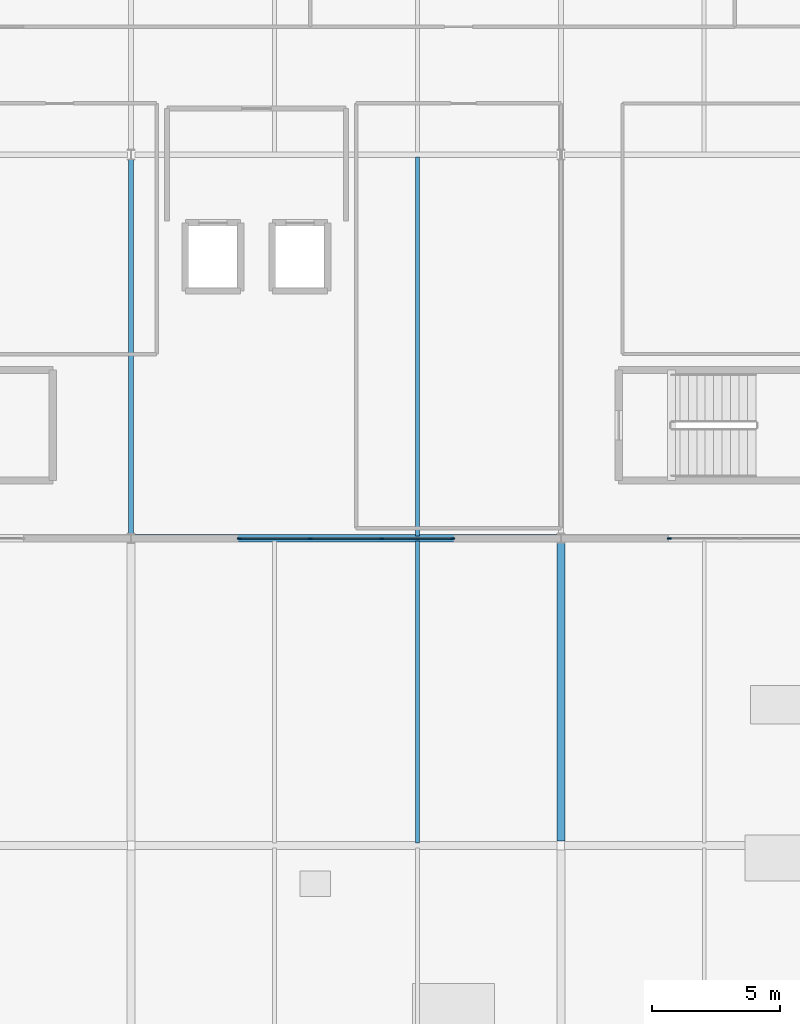
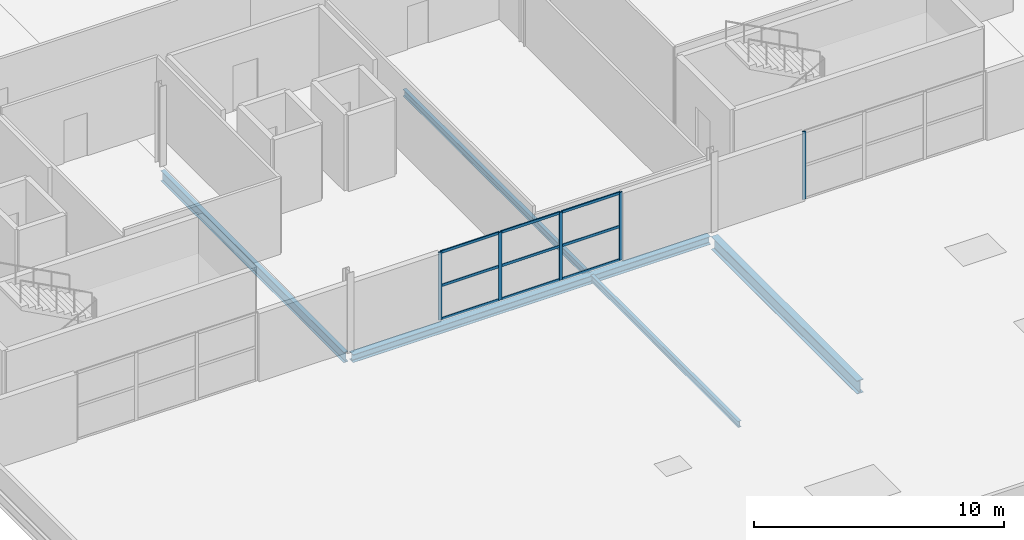
# One storey, part 10 of 36: 14 members, 5 beams, 2 elements without a shape of their own.
"""IFC4 building model written with IfcOpenShell, lengths in metres."""

import ifcopenshell
import ifcopenshell.guid

model = None  # the IFC model being written
_history = None  # IfcOwnerHistory: only IFC2X3 demands one
_inside = {}  # id of a spatial element -> (the spatial element, [elements in it])
_under = {}  # id of a project, library or spatial element -> (it, [spatial elements below it])
_declared = {}  # id of a project -> (the project, [libraries it declares])
_typed = {}  # id of a type object -> (the type object, [elements of that type])
_made_of = {}  # id of a material, layer set ... -> (it, [elements and type objects made of it])


def new_model(schema):
    """Start an empty IFC model of exactly this schema.

    Asked for "IFC4X3", IfcOpenShell would pick the latest addendum, in which some entities
    have other attributes; the version numbers below select the first issue.
    IFC2X3 requires an IfcOwnerHistory on every rooted entity: one is made here for all.
    """
    global model, _history
    if schema == "IFC4X3":
        model = ifcopenshell.file(schema_version=(4, 3, 0, 0))
    else:
        model = ifcopenshell.file(schema=schema)
    _inside.clear()
    _under.clear()
    _declared.clear()
    _typed.clear()
    _made_of.clear()
    _history = None
    if model.schema == "IFC2X3":
        org = make("IfcOrganization", Name="unknown")
        user = make(
            "IfcPersonAndOrganization",
            ThePerson=make("IfcPerson", FamilyName="unknown"),
            TheOrganization=org,
        )
        app = make(
            "IfcApplication",
            ApplicationDeveloper=org,
            Version="unknown",
            ApplicationFullName="unknown",
            ApplicationIdentifier="unknown",
        )
        _history = make(
            "IfcOwnerHistory",
            OwningUser=user,
            OwningApplication=app,
            ChangeAction="ADDED",
            CreationDate=0,
        )
    return model


def make(cls, **values):
    """One entity of the class cls with the attributes given. An attribute that is None is left unset."""
    return model.create_entity(
        cls, **{name: value for name, value in values.items() if value is not None}
    )


def rooted(cls, **values):
    """An entity with a GlobalId (a new one), such as an element, a storey or a relation."""
    return make(cls, GlobalId=ifcopenshell.guid.new(), OwnerHistory=_history, **values)


def si_unit(unit_type, name, prefix=None):
    """IfcSIUnit, for example si_unit("LENGTHUNIT", "METRE", prefix="MILLI")."""
    return make("IfcSIUnit", UnitType=unit_type, Prefix=prefix, Name=name)


def assignment(units):
    """IfcUnitAssignment: the units of a project."""
    return None if units is None else make("IfcUnitAssignment", Units=units)


def point(xyz):
    """IfcCartesianPoint."""
    return None if xyz is None else make("IfcCartesianPoint", Coordinates=xyz)


def direction(xyz):
    """IfcDirection."""
    return None if xyz is None else make("IfcDirection", DirectionRatios=xyz)


def frame(location, z_axis=None, x_axis=None):
    """IfcAxis2Placement3D, a coordinate frame: its origin and axes. An axis left out is left unset."""
    return make(
        "IfcAxis2Placement3D",
        Location=point(location),
        Axis=direction(z_axis),
        RefDirection=direction(x_axis),
    )


def frame_2d(location, x_axis=None):
    """IfcAxis2Placement2D, a coordinate frame in the plane: its origin and x axis."""
    return make(
        "IfcAxis2Placement2D", Location=point(location), RefDirection=direction(x_axis)
    )


def origin():
    """The frame at (0, 0, 0) with its axes left unset."""
    return frame((0.0, 0.0, 0.0))


def origin_2d():
    """The frame at (0, 0) in the plane with its x axis left unset."""
    return frame_2d((0.0, 0.0))


def place(relative_to, where):
    """IfcLocalPlacement: puts the frame where relative to a parent placement (None: the world)."""
    return make(
        "IfcLocalPlacement", PlacementRelTo=relative_to, RelativePlacement=where
    )


def context(
    kind, dimensions, precision=None, world=None, true_north=None, identifier=None
):
    """IfcGeometricRepresentationContext, for example the 3D "Model" context."""
    return make(
        "IfcGeometricRepresentationContext",
        ContextIdentifier=identifier,
        ContextType=kind,
        CoordinateSpaceDimension=dimensions,
        Precision=precision,
        WorldCoordinateSystem=world,
        TrueNorth=true_north,
    )


def subcontext(parent, identifier, kind, view, scale=None):
    """IfcGeometricRepresentationSubContext, for example "Body" below "Model"."""
    return make(
        "IfcGeometricRepresentationSubContext",
        ContextIdentifier=identifier,
        ContextType=kind,
        ParentContext=parent,
        TargetScale=scale,
        TargetView=view,
    )


def project(units=None, contexts=None):
    """IfcProject with its units and contexts."""
    return rooted(
        "IfcProject",
        Name="project",
        RepresentationContexts=contexts,
        UnitsInContext=assignment(units),
    )


def spatial(cls, under=None, at=None, **own):
    """A site, building, storey or space (cls), placed at a placement, below another one or the project."""
    s = rooted(cls, ObjectPlacement=at, **own)
    if under is not None:
        _under.setdefault(under.id(), (under, []))[1].append(s)
    return s


def profile(cls, at=None, kind="AREA", **sizes):
    """A parametric profile (cls). Its sizes go by their IFC names, for example OverallWidth=200.0."""
    return make(cls, ProfileType=kind, Position=at, **sizes)


def rectangle(**sizes):
    """IfcRectangleProfileDef."""
    return profile("IfcRectangleProfileDef", **sizes)


def i_section(**sizes):
    """IfcIShapeProfileDef."""
    return profile("IfcIShapeProfileDef", **sizes)


def extrude(swept, where, along, depth):
    """IfcExtrudedAreaSolid: the profile swept, set in the frame where, extruded along a direction by depth."""
    return make(
        "IfcExtrudedAreaSolid",
        SweptArea=swept,
        Position=where,
        ExtrudedDirection=direction(along),
        Depth=depth,
    )


def shape(context_of_items, identifier, shape_type, items):
    """IfcShapeRepresentation: the items that make up one representation, for example the "Body"."""
    return make(
        "IfcShapeRepresentation",
        ContextOfItems=context_of_items,
        RepresentationIdentifier=identifier,
        RepresentationType=shape_type,
        Items=items,
    )


def material(Name=None, Category=None):
    """IfcMaterial."""
    return make("IfcMaterial", Name=Name, Category=Category)


def material_profile(
    of_material, cross_section, Name=None, Category=None, Priority=None
):
    """IfcMaterialProfile: a cross section and its material."""
    return make(
        "IfcMaterialProfile",
        Name=Name,
        Material=of_material,
        Profile=cross_section,
        Priority=Priority,
        Category=Category,
    )


def profile_set(profiles, Name=None, composite=None):
    """IfcMaterialProfileSet."""
    return make(
        "IfcMaterialProfileSet",
        Name=Name,
        MaterialProfiles=profiles,
        CompositeProfile=composite,
    )


def made_of(thing, what):
    """Note that an element or type object is made of a material, layer set ...; save() writes the relation."""
    if what is not None:
        _made_of.setdefault(what.id(), (what, []))[1].append(thing)
    return thing


def type_object(cls, material=None, **own):
    """A type object (cls), such as IfcWallType, which elements share."""
    return made_of(rooted(cls, **own), material)


def element(
    cls,
    number,
    at=None,
    inside=None,
    cuts=None,
    type_object=None,
    material=None,
    context=None,
    identifier="Body",
    shape_type=None,
    held_by="IfcProductDefinitionShape",
    body=None,
    shapes=None,
    **own,
):
    """One element of the class cls, such as IfcWall. Its Tag is "e" and its number.

    at: its placement. inside: the storey or other place that contains it. cuts: it is an
    opening in that element (IfcRelVoidsElement). A single representation is given by context,
    identifier, shape_type and body (its items); several are given by shapes. held_by: the class
    of the entity that holds the representations. save() writes the other relations.
    """
    e = rooted(cls, Tag="e%d" % number, ObjectPlacement=at, **own)
    if body is not None:
        shapes = [shape(context, identifier, shape_type, body)]
    if shapes is not None:
        e.Representation = make(held_by, Representations=shapes)
    if inside is not None:
        _inside.setdefault(inside.id(), (inside, []))[1].append(e)
    if cuts is not None:
        rooted(
            "IfcRelVoidsElement", RelatingBuildingElement=cuts, RelatedOpeningElement=e
        )
    if type_object is not None:
        _typed.setdefault(type_object.id(), (type_object, []))[1].append(e)
    return made_of(e, material)


def aggregate(whole, parts):
    """IfcRelAggregates: a whole, such as a stair, and the parts it consists of."""
    return rooted("IfcRelAggregates", RelatingObject=whole, RelatedObjects=parts)


def save(model, path):
    """Write the relations noted so far, then the file.

    IfcRelAggregates (storeys below a building ...), IfcRelContainedInSpatialStructure (elements
    in a storey), IfcRelDefinesByType, IfcRelAssociatesMaterial and IfcRelDeclares: one each for
    every whole, place, type object, material and project.
    """
    for whole, parts in _under.values():
        aggregate(whole, parts)
    for where, things in _inside.values():
        rooted(
            "IfcRelContainedInSpatialStructure",
            RelatedElements=things,
            RelatingStructure=where,
        )
    for kind, things in _typed.values():
        rooted("IfcRelDefinesByType", RelatedObjects=things, RelatingType=kind)
    for what, things in _made_of.values():
        rooted("IfcRelAssociatesMaterial", RelatedObjects=things, RelatingMaterial=what)
    for by, libraries in _declared.values():
        rooted("IfcRelDeclares", RelatingContext=by, RelatedDefinitions=libraries)
    model.write(path)


model = new_model("IFC4")

# Units and contexts
model_context = context("Model", 3, precision=1e-05, world=origin(), true_north=direction((0.0, 1.0)))
body_context = subcontext(model_context, "Body", "Model", "MODEL_VIEW")
ifc_project = project(units=[si_unit("LENGTHUNIT", "METRE"), si_unit("AREAUNIT", "SQUARE_METRE"), si_unit("VOLUMEUNIT", "CUBIC_METRE"), si_unit("PLANEANGLEUNIT", "RADIAN"), si_unit("MASSUNIT", "GRAM", prefix="KILO")], contexts=[model_context])

# Site, building, storey
site_placement = place(None, origin())
site = spatial("IfcSite", under=ifc_project, at=site_placement, CompositionType="ELEMENT")
building_placement = place(site_placement, origin())
building = spatial("IfcBuilding", under=site, at=building_placement, Name="Kimbaza Rail Terminus", CompositionType="ELEMENT")
storey_placement = place(building_placement, frame((0.0, 0.0, 21.0)))
storey = spatial("IfcBuildingStorey", under=building, at=storey_placement, Name="L04", CompositionType="ELEMENT", Elevation=21.0)

# Curtain wall, members
ifc_material_1 = material(Name="Anodised aluminium framing and solar low-E glazing", Category="aluminium")
curtain_wall_type = type_object("IfcCurtainWallType", Name="ARC-CW-OP2", PredefinedType="USERDEFINED", material=ifc_material_1)
curtain_wall_1_placement = place(storey_placement, origin())
curtain_wall_1 = element("IfcCurtainWall", 1, at=curtain_wall_1_placement, inside=storey, type_object=curtain_wall_type, Name="Operations South Curtain Wall L04 Bay 3", ObjectType="STICK CURTAIN WALL", PredefinedType="USERDEFINED")
ifc_material_2 = material(Name="Anodised architectural aluminium", Category="aluminium")
ifc_material_profile_1 = material_profile(ifc_material_2, rectangle(XDim=0.05810546875, YDim=0.14990234375, at=origin_2d()), Name="MULLION 58x150")
ifc_profile_set_1 = profile_set([ifc_material_profile_1], Name="Anodised architectural aluminium")
member_type_1 = type_object("IfcMemberType", Name="ARC-CWM-06", PredefinedType="MULLION", material=ifc_profile_set_1)
member_1_placement = place(storey_placement, frame((93.029052734375, 103.0, 0.0), z_axis=(0.0, 0.0, 1.0), x_axis=(0.0, 1.0, 0.0)))
member_1 = element("IfcMember", 2, at=member_1_placement, type_object=member_type_1, Name="CW-06 mullion 1", PredefinedType="MULLION", context=body_context, shape_type="SweptSolid", body=[
    extrude(rectangle(XDim=0.05810546875, YDim=0.14990234375, at=origin_2d()), origin(), (0.0, 0.0, 1.0), 3.31494140625),
])
member_2_placement = place(storey_placement, frame((95.800048828125, 103.0, 0.0), z_axis=(0.0, 0.0, 1.0), x_axis=(0.0, 1.0, 0.0)))
member_2 = element("IfcMember", 3, at=member_2_placement, type_object=member_type_1, Name="CW-06 mullion 2", PredefinedType="MULLION", context=body_context, shape_type="SweptSolid", body=[
    extrude(rectangle(XDim=0.05810546875, YDim=0.14990234375, at=origin_2d()), origin(), (0.0, 0.0, 1.0), 3.31494140625),
])
member_3_placement = place(storey_placement, frame((98.60009765625, 103.0, 0.0), z_axis=(0.0, 0.0, 1.0), x_axis=(0.0, 1.0, 0.0)))
member_3 = element("IfcMember", 4, at=member_3_placement, type_object=member_type_1, Name="CW-06 mullion 3", PredefinedType="MULLION", context=body_context, shape_type="SweptSolid", body=[
    extrude(rectangle(XDim=0.05810546875, YDim=0.14990234375, at=origin_2d()), origin(), (0.0, 0.0, 1.0), 3.31494140625),
])
member_4_placement = place(storey_placement, frame((101.37109375, 103.0, 0.0), z_axis=(0.0, 0.0, 1.0), x_axis=(0.0, 1.0, 0.0)))
member_4 = element("IfcMember", 5, at=member_4_placement, type_object=member_type_1, Name="CW-06 mullion 4", PredefinedType="MULLION", context=body_context, shape_type="SweptSolid", body=[
    extrude(rectangle(XDim=0.05810546875, YDim=0.14990234375, at=origin_2d()), origin(), (0.0, 0.0, 1.0), 3.31494140625),
])

# Curtain wall, member
curtain_wall_2_placement = place(storey_placement, origin())
curtain_wall_2 = element("IfcCurtainWall", 6, at=curtain_wall_2_placement, inside=storey, type_object=curtain_wall_type, Name="Operations South Curtain Wall L04 Bay 4", ObjectType="STICK CURTAIN WALL", PredefinedType="USERDEFINED")
member_5_placement = place(storey_placement, frame((109.8291015625, 103.0, 0.0), z_axis=(0.0, 0.0, 1.0), x_axis=(0.0, 1.0, 0.0)))
member_5 = element("IfcMember", 7, at=member_5_placement, type_object=member_type_1, Name="CW-06 mullion 1", PredefinedType="MULLION", context=body_context, shape_type="SweptSolid", body=[
    extrude(rectangle(XDim=0.05810546875, YDim=0.14990234375, at=origin_2d()), origin(), (0.0, 0.0, 1.0), 3.31494140625),
])
aggregate(curtain_wall_2, [member_5])

# Member
ifc_material_3 = material(Name="Anodised architectural aluminium", Category="aluminium")
ifc_material_profile_2 = material_profile(ifc_material_3, rectangle(XDim=0.05810546875, YDim=0.125, at=origin_2d()), Name="TRANSOM 58x125")
ifc_profile_set_2 = profile_set([ifc_material_profile_2], Name="Anodised architectural aluminium")
member_type_2 = type_object("IfcMemberType", Name="ARC-CWT-06", PredefinedType="USERDEFINED", material=ifc_profile_set_2)
member_6_placement = place(storey_placement, frame((93.05810546875, 103.0, 0.029052734375), z_axis=(1.0, 0.0, 0.0), x_axis=(0.0, 1.0, 0.0)))
member_6 = element("IfcMember", 8, at=member_6_placement, type_object=member_type_2, Name="CW-06 transom 1.1", ObjectType="TRANSOM", PredefinedType="USERDEFINED", context=body_context, shape_type="SweptSolid", body=[
    extrude(rectangle(XDim=0.05810546875, YDim=0.125, at=origin_2d()), origin(), (0.0, 0.0, 1.0), 2.712890625),
])

member_7_placement = place(storey_placement, frame((93.05810546875, 103.0, 1.657470703125), z_axis=(1.0, 0.0, 0.0), x_axis=(0.0, 1.0, 0.0)))
member_7 = element("IfcMember", 9, at=member_7_placement, type_object=member_type_2, Name="CW-06 transom 1.2", ObjectType="TRANSOM", PredefinedType="USERDEFINED", context=body_context, shape_type="SweptSolid", body=[
    extrude(rectangle(XDim=0.05810546875, YDim=0.125, at=origin_2d()), origin(), (0.0, 0.0, 1.0), 2.712890625),
])

member_8_placement = place(storey_placement, frame((93.05810546875, 103.0, 3.285888671875), z_axis=(1.0, 0.0, 0.0), x_axis=(0.0, 1.0, 0.0)))
member_8 = element("IfcMember", 10, at=member_8_placement, type_object=member_type_2, Name="CW-06 transom 1.3", ObjectType="TRANSOM", PredefinedType="USERDEFINED", context=body_context, shape_type="SweptSolid", body=[
    extrude(rectangle(XDim=0.05810546875, YDim=0.125, at=origin_2d()), origin(), (0.0, 0.0, 1.0), 2.712890625),
])

member_9_placement = place(storey_placement, frame((95.8291015625, 103.0, 0.029052734375), z_axis=(1.0, 0.0, 0.0), x_axis=(0.0, 1.0, 0.0)))
member_9 = element("IfcMember", 11, at=member_9_placement, type_object=member_type_2, Name="CW-06 transom 2.1", ObjectType="TRANSOM", PredefinedType="USERDEFINED", context=body_context, shape_type="SweptSolid", body=[
    extrude(rectangle(XDim=0.05810546875, YDim=0.125, at=origin_2d()), origin(), (0.0, 0.0, 1.0), 2.741943359375),
])

member_10_placement = place(storey_placement, frame((95.8291015625, 103.0, 1.657470703125), z_axis=(1.0, 0.0, 0.0), x_axis=(0.0, 1.0, 0.0)))
member_10 = element("IfcMember", 12, at=member_10_placement, type_object=member_type_2, Name="CW-06 transom 2.2", ObjectType="TRANSOM", PredefinedType="USERDEFINED", context=body_context, shape_type="SweptSolid", body=[
    extrude(rectangle(XDim=0.05810546875, YDim=0.125, at=origin_2d()), origin(), (0.0, 0.0, 1.0), 2.741943359375),
])

member_11_placement = place(storey_placement, frame((95.8291015625, 103.0, 3.285888671875), z_axis=(1.0, 0.0, 0.0), x_axis=(0.0, 1.0, 0.0)))
member_11 = element("IfcMember", 13, at=member_11_placement, type_object=member_type_2, Name="CW-06 transom 2.3", ObjectType="TRANSOM", PredefinedType="USERDEFINED", context=body_context, shape_type="SweptSolid", body=[
    extrude(rectangle(XDim=0.05810546875, YDim=0.125, at=origin_2d()), origin(), (0.0, 0.0, 1.0), 2.741943359375),
])

member_12_placement = place(storey_placement, frame((98.62890625, 103.0, 0.029052734375), z_axis=(1.0, 0.0, 0.0), x_axis=(0.0, 1.0, 0.0)))
member_12 = element("IfcMember", 14, at=member_12_placement, type_object=member_type_2, Name="CW-06 transom 3.1", ObjectType="TRANSOM", PredefinedType="USERDEFINED", context=body_context, shape_type="SweptSolid", body=[
    extrude(rectangle(XDim=0.05810546875, YDim=0.125, at=origin_2d()), origin(), (0.0, 0.0, 1.0), 2.713134765625),
])

member_13_placement = place(storey_placement, frame((98.62890625, 103.0, 1.657470703125), z_axis=(1.0, 0.0, 0.0), x_axis=(0.0, 1.0, 0.0)))
member_13 = element("IfcMember", 15, at=member_13_placement, type_object=member_type_2, Name="CW-06 transom 3.2", ObjectType="TRANSOM", PredefinedType="USERDEFINED", context=body_context, shape_type="SweptSolid", body=[
    extrude(rectangle(XDim=0.05810546875, YDim=0.125, at=origin_2d()), origin(), (0.0, 0.0, 1.0), 2.713134765625),
])

member_14_placement = place(storey_placement, frame((98.62890625, 103.0, 3.285888671875), z_axis=(1.0, 0.0, 0.0), x_axis=(0.0, 1.0, 0.0)))
member_14 = element("IfcMember", 16, at=member_14_placement, type_object=member_type_2, Name="CW-06 transom 3.3", ObjectType="TRANSOM", PredefinedType="USERDEFINED", context=body_context, shape_type="SweptSolid", body=[
    extrude(rectangle(XDim=0.05810546875, YDim=0.125, at=origin_2d()), origin(), (0.0, 0.0, 1.0), 2.713134765625),
])

aggregate(curtain_wall_1, [member_1, member_2, member_3, member_4, member_6, member_7, member_8, member_9, member_10, member_11, member_12, member_13, member_14])

# Beams
ifc_material_4 = material(Name="Steel S355", Category="steel")
ifc_material_profile_3 = material_profile(ifc_material_4, i_section(OverallWidth=0.300048828125, OverallDepth=0.389892578125, WebThickness=0.010986328125, FlangeThickness=0.01904296875, FilletRadius=0.027099609375, at=origin_2d()), Name="HEA 400")
ifc_profile_set_3 = profile_set([ifc_material_profile_3], Name="Steel S355")
beam_type_1 = type_object("IfcBeamType", Name="STR-BM-HEA400", PredefinedType="SPANDREL", material=ifc_profile_set_3)
beam_1_placement = place(storey_placement, frame((88.946044921875, 103.0, -0.39501953125), z_axis=(1.0, 0.0, 0.0), x_axis=(0.0, 1.0, 0.0)))
element("IfcBeam", 17, at=beam_1_placement, inside=storey, type_object=beam_type_1, Name="Operations Girder L04 X2-Y0", PredefinedType="SPANDREL", context=body_context, shape_type="SweptSolid", body=[
    extrude(i_section(OverallWidth=0.300048828125, OverallDepth=0.389892578125, WebThickness=0.010986328125, FlangeThickness=0.01904296875, FilletRadius=0.027099609375, at=origin_2d()), origin(), (0.0, 0.0, 1.0), 16.508056640625),
])
ifc_material_5 = material(Name="Steel S355", Category="steel")
ifc_material_profile_4 = material_profile(ifc_material_5, i_section(OverallWidth=0.300048828125, OverallDepth=0.64990234375, WebThickness=0.01611328125, FlangeThickness=0.031005859375, FilletRadius=0.027099609375, at=origin_2d()), Name="HEB 650")
ifc_profile_set_4 = profile_set([ifc_material_profile_4], Name="Steel S355")
beam_type_2 = type_object("IfcBeamType", Name="STR-BM-HEB650", PredefinedType="USERDEFINED", material=ifc_profile_set_4)
beam_2_placement = place(storey_placement, frame((105.60009765625, 91.175048828125, -0.5), z_axis=(0.0, 1.0, 0.0), x_axis=(-1.0, 0.0, 0.0)))
element("IfcBeam", 18, at=beam_2_placement, inside=storey, type_object=beam_type_2, Name="Beam BM-BRGRFY-106-91", ObjectType="GIRDER", PredefinedType="USERDEFINED", context=body_context, shape_type="SweptSolid", body=[
    extrude(i_section(OverallWidth=0.300048828125, OverallDepth=0.64990234375, WebThickness=0.01611328125, FlangeThickness=0.031005859375, FilletRadius=0.027099609375, at=origin_2d()), origin(), (0.0, 0.0, 1.0), 11.64990234375),
])
ifc_material_6 = material(Name="Steel S355", Category="steel")
ifc_material_profile_5 = material_profile(ifc_material_6, i_section(OverallWidth=0.14990234375, OverallDepth=0.300048828125, WebThickness=0.007080078125, FlangeThickness=0.0107421875, FilletRadius=0.014892578125, at=origin_2d()), Name="IPE 300")
ifc_profile_set_5 = profile_set([ifc_material_profile_5], Name="Steel S355")
beam_type_3 = type_object("IfcBeamType", Name="STR-BM-IPE300", PredefinedType="JOIST", material=ifc_profile_set_5)
beam_3_placement = place(storey_placement, frame((100.0, 91.10009765625, -0.324951171875), z_axis=(0.0, 1.0, 0.0), x_axis=(-1.0, 0.0, 0.0)))
element("IfcBeam", 19, at=beam_3_placement, inside=storey, type_object=beam_type_3, Name="Beam JST-BRGRF-L04-1-2-91", PredefinedType="JOIST", context=body_context, shape_type="SweptSolid", body=[
    extrude(i_section(OverallWidth=0.14990234375, OverallDepth=0.300048828125, WebThickness=0.007080078125, FlangeThickness=0.0107421875, FilletRadius=0.014892578125, at=origin_2d()), origin(), (0.0, 0.0, 1.0), 11.7998046875),
])
ifc_material_7 = material(Name="Steel S355", Category="steel")
ifc_material_profile_6 = material_profile(ifc_material_7, i_section(OverallWidth=0.159912109375, OverallDepth=0.330078125, WebThickness=0.007568359375, FlangeThickness=0.011474609375, FilletRadius=0.01806640625, at=origin_2d()), Name="IPE 330")
ifc_profile_set_6 = profile_set([ifc_material_profile_6], Name="Steel S355")
beam_type_4 = type_object("IfcBeamType", Name="STR-BM-IPE330", PredefinedType="JOIST", material=ifc_profile_set_6)
beam_4_placement = place(storey_placement, frame((100.0, 103.10009765625, -0.364990234375), z_axis=(0.0, 1.0, 0.0), x_axis=(-1.0, 0.0, 0.0)))
element("IfcBeam", 20, at=beam_4_placement, inside=storey, type_object=beam_type_4, Name="Operations Secondary Joist L04", PredefinedType="JOIST", context=body_context, shape_type="SweptSolid", body=[
    extrude(i_section(OverallWidth=0.159912109375, OverallDepth=0.330078125, WebThickness=0.007568359375, FlangeThickness=0.011474609375, FilletRadius=0.01806640625, at=origin_2d()), origin(), (0.0, 0.0, 1.0), 14.7998046875),
])
ifc_material_8 = material(Name="Steel S355", Category="steel")
ifc_material_profile_7 = material_profile(ifc_material_8, i_section(OverallWidth=0.199951171875, OverallDepth=0.5, WebThickness=0.01025390625, FlangeThickness=0.01611328125, FilletRadius=0.02099609375, at=origin_2d()), Name="IPE 500")
ifc_profile_set_7 = profile_set([ifc_material_profile_7], Name="Steel S355")
beam_type_5 = type_object("IfcBeamType", Name="STR-BM-IPE500", PredefinedType="BEAM", material=ifc_profile_set_7)
beam_5_placement = place(storey_placement, frame((88.800048828125, 103.175048828125, -0.449951171875), z_axis=(0.0, 1.0, 0.0), x_axis=(-1.0, 0.0, 0.0)))
element("IfcBeam", 21, at=beam_5_placement, inside=storey, type_object=beam_type_5, Name="Operations Cross Girder L04 X2-Y0", PredefinedType="BEAM", context=body_context, shape_type="SweptSolid", body=[
    extrude(i_section(OverallWidth=0.199951171875, OverallDepth=0.5, WebThickness=0.01025390625, FlangeThickness=0.01611328125, FilletRadius=0.02099609375, at=origin_2d()), origin(), (0.0, 0.0, 1.0), 14.64990234375),
])

save(model, "model.ifc")
